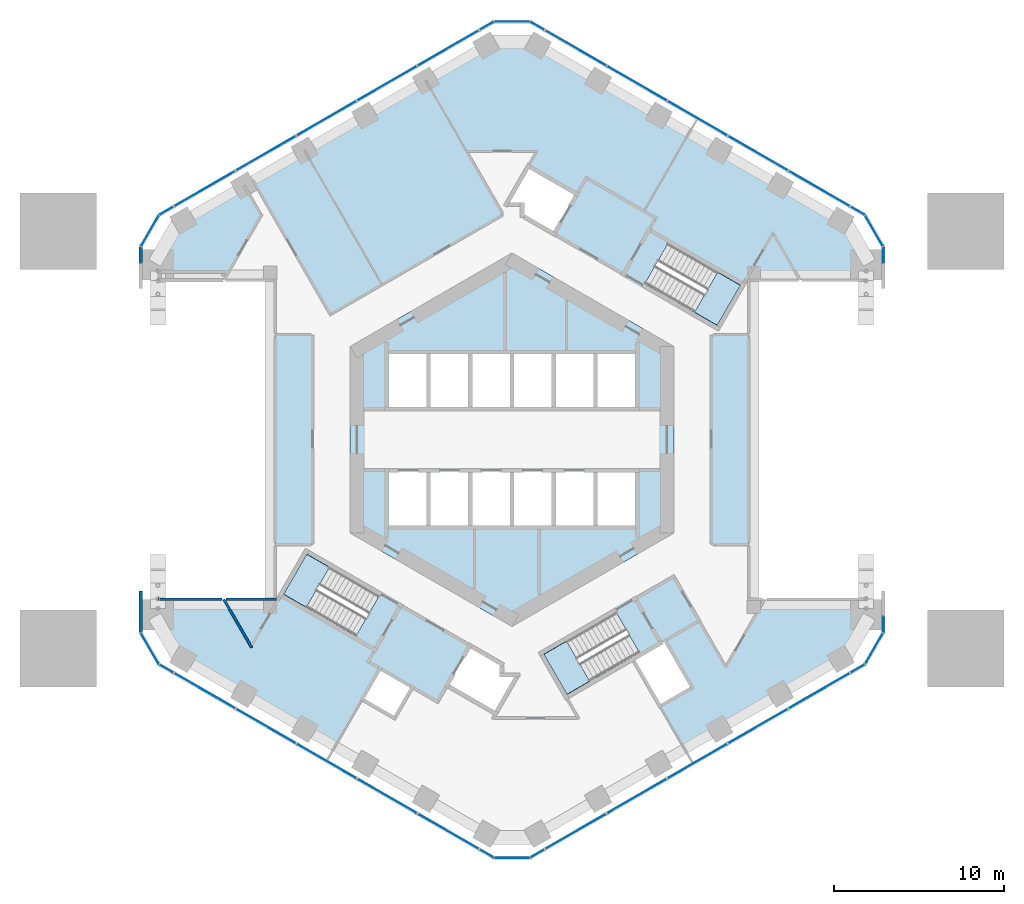
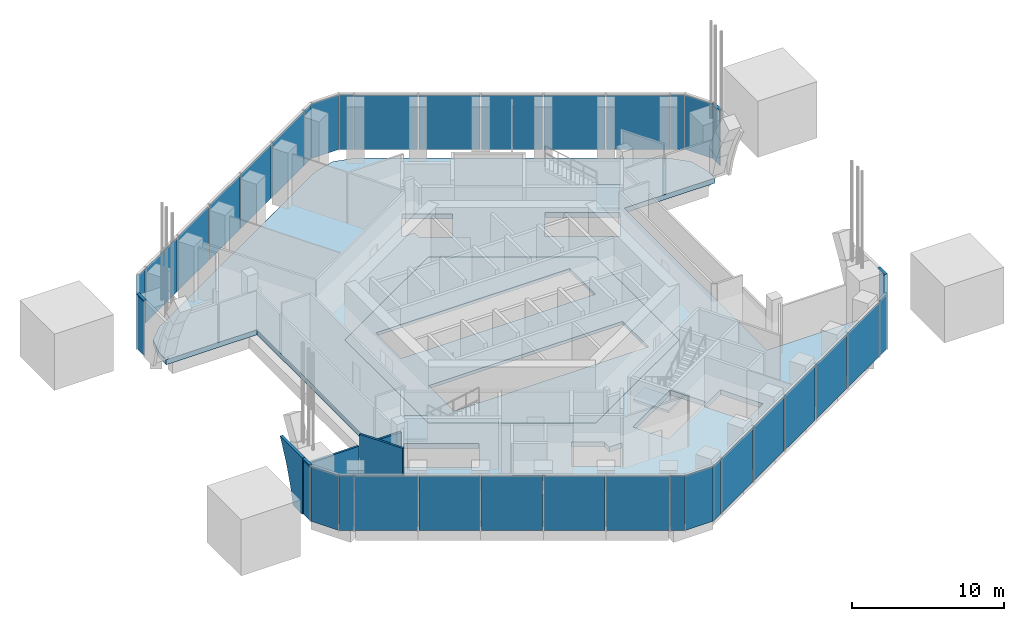
# One storey, part 8 of 14: 38 plates, 5 slabs, 4 members, 4 walls, 13 elements without a shape of their own.
"""IFC4 building model written with IfcOpenShell, lengths in metres."""

from ifc_helpers import new_model, si_unit, direction, frame, frame_2d, origin, origin_2d, place, context, subcontext, project, spatial, polyline, rectangle, outline, extrude, material, layer, layer_set, material_profile, profile_set, type_object, element, aggregate, save


model = new_model("IFC4")

# Units and contexts
model_context = context("Model", 3, precision=1e-05, world=origin(), true_north=direction((0.0, 1.0)))
body_context = subcontext(model_context, "Body", "Model", "MODEL_VIEW")
ifc_project = project(units=[si_unit("LENGTHUNIT", "METRE"), si_unit("AREAUNIT", "SQUARE_METRE"), si_unit("VOLUMEUNIT", "CUBIC_METRE"), si_unit("PLANEANGLEUNIT", "RADIAN"), si_unit("MASSUNIT", "GRAM", prefix="KILO")], contexts=[model_context])

# Site, building, storey
site_placement = place(None, origin())
site = spatial("IfcSite", under=ifc_project, at=site_placement, CompositionType="ELEMENT")
building_placement = place(site_placement, origin())
building = spatial("IfcBuilding", under=site, at=building_placement, Name="Ayvan Gate Tower", CompositionType="ELEMENT")
storey_placement = place(building_placement, frame((0.0, 0.0, 7.0)))
storey = spatial("IfcBuildingStorey", under=building, at=storey_placement, Name="L01", CompositionType="ELEMENT", Elevation=7.0)

# Curtain wall, member
ifc_material_1 = material(Name="Bronze anodised aluminium", Category="aluminium")
ifc_layer_1 = layer(ifc_material_1, 0.199951171875)
ifc_layer_set_1 = layer_set([ifc_layer_1], Name="Bronze anodised aluminium")
curtain_wall_type_1 = type_object("IfcCurtainWallType", Name="Stick curtain wall CW-6", PredefinedType="NOTDEFINED", material=ifc_layer_set_1)
curtain_wall_1_placement = place(storey_placement, origin())
curtain_wall_1 = element("IfcCurtainWall", 1, at=curtain_wall_1_placement, inside=storey, type_object=curtain_wall_type_1, Name="Stick curtain wall CW-6 L01", PredefinedType="NOTDEFINED")
ifc_material_profile = material_profile(ifc_material_1, rectangle(XDim=0.199951171875, YDim=0.1201171875, at=origin_2d()), Name="Stick curtain wall CW-6 transom 200 x 120")
ifc_profile_set = profile_set([ifc_material_profile], Name="Bronze anodised aluminium")
member_type = type_object("IfcMemberType", Name="Stick curtain wall CW-6 transom 200 x 120", PredefinedType="USERDEFINED", material=ifc_profile_set)
member_1_placement = place(storey_placement, frame((-21.78466796875, 11.32470703125, 4.43994140625), z_axis=(0.0, -1.0, 0.0), x_axis=(1.0, 0.0, 0.0)))
member_1 = element("IfcMember", 2, at=member_1_placement, type_object=member_type, Name="CW-6 transom 3", ObjectType="TRANSOM", PredefinedType="USERDEFINED", context=body_context, shape_type="SweptSolid", body=[
    extrude(rectangle(XDim=0.199951171875, YDim=0.1201171875, at=origin_2d()), origin(), (0.0, 0.0, 1.0), 0.925048828125),
])

curtain_wall_2_placement = place(storey_placement, origin())
curtain_wall_2 = element("IfcCurtainWall", 3, at=curtain_wall_2_placement, inside=storey, type_object=curtain_wall_type_1, Name="Stick curtain wall CW-6 L01", PredefinedType="NOTDEFINED")
member_2_placement = place(storey_placement, frame((-21.78466796875, -10.399658203125, 4.43994140625), z_axis=(0.0, -1.0, 0.0), x_axis=(1.0, 0.0, 0.0)))
member_2 = element("IfcMember", 4, at=member_2_placement, type_object=member_type, Name="CW-6 transom 1", ObjectType="TRANSOM", PredefinedType="USERDEFINED", context=body_context, shape_type="SweptSolid", body=[
    extrude(rectangle(XDim=0.199951171875, YDim=0.1201171875, at=origin_2d()), origin(), (0.0, 0.0, 1.0), 0.925048828125),
])

curtain_wall_3_placement = place(storey_placement, origin())
curtain_wall_3 = element("IfcCurtainWall", 5, at=curtain_wall_3_placement, inside=storey, type_object=curtain_wall_type_1, Name="Stick curtain wall CW-6 L01", PredefinedType="NOTDEFINED")
member_3_placement = place(storey_placement, frame((21.78466796875, -11.32470703125, 4.43994140625), z_axis=(0.0, 1.0, 0.0), x_axis=(-1.0, 0.0, 0.0)))
member_3 = element("IfcMember", 6, at=member_3_placement, type_object=member_type, Name="CW-6 transom 3", ObjectType="TRANSOM", PredefinedType="USERDEFINED", context=body_context, shape_type="SweptSolid", body=[
    extrude(rectangle(XDim=0.199951171875, YDim=0.1201171875, at=origin_2d()), origin(), (0.0, 0.0, 1.0), 0.925048828125),
])

curtain_wall_4_placement = place(storey_placement, origin())
curtain_wall_4 = element("IfcCurtainWall", 7, at=curtain_wall_4_placement, inside=storey, type_object=curtain_wall_type_1, Name="Stick curtain wall CW-6 L01", PredefinedType="NOTDEFINED")
member_4_placement = place(storey_placement, frame((21.78466796875, 10.399658203125, 4.43994140625), z_axis=(0.0, 1.0, 0.0), x_axis=(-1.0, 0.0, 0.0)))
member_4 = element("IfcMember", 8, at=member_4_placement, type_object=member_type, Name="CW-6 transom 1", ObjectType="TRANSOM", PredefinedType="USERDEFINED", context=body_context, shape_type="SweptSolid", body=[
    extrude(rectangle(XDim=0.199951171875, YDim=0.1201171875, at=origin_2d()), origin(), (0.0, 0.0, 1.0), 0.925048828125),
])

# Slabs
ifc_material_2 = material(Name="Concrete C40/50", Category="concrete")
ifc_layer_2 = layer(ifc_material_2, 0.39990234375)
ifc_layer_set_2 = layer_set([ifc_layer_2], Name="Concrete C40/50")
slab_type_1 = type_object("IfcSlabType", Name="Post-tensioned flat slab 400", PredefinedType="FLOOR", material=ifc_layer_set_2)
slab_1_placement = place(storey_placement, frame((0.0, 0.0, -0.39990234375)))
element("IfcSlab", 9, at=slab_1_placement, inside=storey, type_object=slab_type_1, Name="SL-L01", PredefinedType="FLOOR", context=body_context, shape_type="SweptSolid", body=[
    extrude(outline(polyline([(1.5, -23.134033203125), (0.0, -23.535888671875), (-1.5, -23.134033203125), (-19.28466796875, -12.865966796875), (-20.382568359375, -11.76806640625), (-20.78466796875, -10.26806640625), (-20.78466796875, 0.0), (-20.78466796875, -9.367919921875), (-13.89990234375, -9.367919921875), (-13.89990234375, 9.367919921875), (-20.78466796875, 9.367919921875), (-20.78466796875, 10.26806640625), (-20.382568359375, 11.76806640625), (-19.28466796875, 12.865966796875), (-1.5, 23.134033203125), (0.0, 23.535888671875), (1.5, 23.134033203125), (19.28466796875, 12.865966796875), (20.382568359375, 11.76806640625), (20.78466796875, 10.26806640625), (20.78466796875, 9.367919921875), (13.89990234375, 9.367919921875), (13.89990234375, -9.367919921875), (20.78466796875, -9.367919921875), (20.78466796875, -10.26806640625), (20.382568359375, -11.76806640625), (19.28466796875, -12.865966796875), (1.5, -23.134033203125)]), holes=[polyline([(9.1611328125, 11.517578125), (7.80615234375, 9.170654296875), (12.049560546875, 6.720458984375), (13.404541015625, 9.0673828125), (9.1611328125, 11.517578125)]), polyline([(8.995361328125, -11.780517578125), (8.735595703125, -11.9306640625), (7.090087890625, -12.880615234375), (8.690185546875, -15.65185546875), (10.595458984375, -14.5517578125), (8.995361328125, -11.780517578125)]), polyline([(0.0, -10.9697265625), (9.5, -5.48486328125), (9.5, 5.48486328125), (0.0, 10.9697265625), (-9.5, 5.48486328125), (-9.5, -5.48486328125), (0.0, -10.9697265625)]), polyline([(7.472412109375, -12.492431640625), (6.117431640625, -10.1455078125), (1.873779296875, -12.595458984375), (3.228759765625, -14.9423828125), (7.472412109375, -12.492431640625)]), polyline([(3.822509765625, 14.420654296875), (0.964599609375, 16.07080078125), (-0.340576171875, 13.81005859375), (0.60009765625, 13.81005859375), (0.60009765625, 13.16357421875), (2.472412109375, 12.08251953125), (3.822509765625, 14.420654296875)]), polyline([(-0.60009765625, -13.81005859375), (-0.60009765625, -13.16357421875), (-2.472412109375, -12.08251953125), (-3.822509765625, -14.420654296875), (-0.964599609375, -16.07080078125), (0.340576171875, -13.81005859375), (-0.60009765625, -13.81005859375)]), polyline([(-8.800048828125, -15.241943359375), (-6.894775390625, -16.342041015625), (-5.8447265625, -14.5234375), (-7.75, -13.42333984375), (-8.800048828125, -15.241943359375)]), polyline([(-12.049560546875, -6.720458984375), (-13.404541015625, -9.0673828125), (-9.1611328125, -11.517578125), (-7.80615234375, -9.170654296875), (-12.049560546875, -6.720458984375)])]), origin(), (0.0, 0.0, 1.0), 0.39990234375),
])
ifc_layer_3 = layer(ifc_material_2, 0.25)
ifc_layer_set_3 = layer_set([ifc_layer_3], Name="Concrete C40/50")
slab_type_2 = type_object("IfcSlabType", Name="SL-CORE-250", PredefinedType="FLOOR", material=ifc_layer_set_3)
slab_2_placement = place(storey_placement, frame((0.0, 0.0, -0.25)))
element("IfcSlab", 10, at=slab_2_placement, inside=storey, type_object=slab_type_2, Name="CS-L01", PredefinedType="FLOOR", context=body_context, shape_type="SweptSolid", body=[
    extrude(outline(polyline([(9.5, -5.48486328125), (0.0, -10.9697265625), (-9.5, -5.48486328125), (-9.5, 5.48486328125), (0.0, 10.9697265625), (9.5, 5.48486328125), (9.5, -5.48486328125)]), holes=[polyline([(-7.35009765625, -1.800048828125), (-7.35009765625, -5.14990234375), (7.35009765625, -5.14990234375), (7.35009765625, -1.800048828125), (-7.35009765625, -1.800048828125)]), polyline([(-7.35009765625, 5.14990234375), (-7.35009765625, 1.800048828125), (7.35009765625, 1.800048828125), (7.35009765625, 5.14990234375), (-7.35009765625, 5.14990234375)])]), origin(), (0.0, 0.0, 1.0), 0.25),
])

# Stair, slab
stair_type = type_object("IfcStairType", Name="ST-EXIT", PredefinedType="HALF_TURN_STAIR", material=ifc_material_2)
stair_1_placement = place(storey_placement, origin())
stair_1 = element("IfcStair", 11, at=stair_1_placement, inside=storey, type_object=stair_type, Name="L01 Exit Stair S1", PredefinedType="HALF_TURN_STAIR")
ifc_layer_4 = layer(ifc_material_2, 0.199951171875)
ifc_layer_set_4 = layer_set([ifc_layer_4], Name="Concrete C40/50")
slab_type_3 = type_object("IfcSlabType", Name="SL-LANDING-200", PredefinedType="LANDING", material=ifc_layer_set_4)
slab_3_placement = place(storey_placement, frame((0.0, 0.0, 2.050048828125)))
slab_3 = element("IfcSlab", 12, at=slab_3_placement, type_object=slab_type_3, Name="STS1 landing 1", PredefinedType="LANDING", context=body_context, shape_type="SweptSolid", body=[
    extrude(outline(polyline([(10.716064453125, 7.490478515625), (12.049560546875, 6.720458984375), (13.404541015625, 9.0673828125), (12.071044921875, 9.83740234375), (10.716064453125, 7.490478515625)])), origin(), (0.0, 0.0, 1.0), 0.199951171875),
])
aggregate(stair_1, [slab_3])

stair_2_placement = place(storey_placement, origin())
stair_2 = element("IfcStair", 13, at=stair_2_placement, inside=storey, type_object=stair_type, Name="L01 Exit Stair S2", PredefinedType="HALF_TURN_STAIR")
slab_4_placement = place(storey_placement, frame((0.0, 0.0, 2.050048828125)))
slab_4 = element("IfcSlab", 14, at=slab_4_placement, type_object=slab_type_3, Name="STS2 landing 1", PredefinedType="LANDING", context=body_context, shape_type="SweptSolid", body=[
    extrude(outline(polyline([(-10.716064453125, -7.490478515625), (-12.049560546875, -6.720458984375), (-13.404541015625, -9.0673828125), (-12.071044921875, -9.83740234375), (-10.716064453125, -7.490478515625)])), origin(), (0.0, 0.0, 1.0), 0.199951171875),
])
aggregate(stair_2, [slab_4])

stair_3_placement = place(storey_placement, origin())
stair_3 = element("IfcStair", 15, at=stair_3_placement, inside=storey, type_object=stair_type, Name="L01 Exit Stair S3", PredefinedType="HALF_TURN_STAIR")
slab_5_placement = place(storey_placement, frame((0.0, 0.0, 2.050048828125)))
slab_5 = element("IfcSlab", 16, at=slab_5_placement, type_object=slab_type_3, Name="STS3 landing 1", PredefinedType="LANDING", context=body_context, shape_type="SweptSolid", body=[
    extrude(outline(polyline([(3.20751953125, -11.82568359375), (1.873779296875, -12.595458984375), (3.228759765625, -14.9423828125), (4.5625, -14.172607421875), (3.20751953125, -11.82568359375)])), origin(), (0.0, 0.0, 1.0), 0.199951171875),
])
aggregate(stair_3, [slab_5])

# Curtain wall, plates
ifc_layer_5 = layer(ifc_material_1, 0.199951171875)
ifc_layer_set_5 = layer_set([ifc_layer_5], Name="Bronze anodised aluminium")
curtain_wall_type_2 = type_object("IfcCurtainWallType", Name="Stick curtain wall CW-3", PredefinedType="NOTDEFINED", material=ifc_layer_set_5)
curtain_wall_5_placement = place(storey_placement, origin())
curtain_wall_5 = element("IfcCurtainWall", 17, at=curtain_wall_5_placement, inside=storey, type_object=curtain_wall_type_2, Name="Stick curtain wall CW-3 L01", PredefinedType="NOTDEFINED")
ifc_material_3 = material(Name="Clear low-iron laminated glass", Category="glass")
ifc_layer_6 = layer(ifc_material_3, 0.028076171875)
ifc_layer_set_6 = layer_set([ifc_layer_6], Name="Clear low-iron laminated glass")
plate_type_1 = type_object("IfcPlateType", Name="Stick curtain wall CW-3 glass panel", PredefinedType="CURTAIN_PANEL", material=ifc_layer_set_6)
plate_1_placement = place(storey_placement, frame((-3.721435546875, 23.006103515625, 0.0), z_axis=(0.0, 0.0, 1.0), x_axis=(-0.866025403784, -0.5, 0.0)))
plate_1 = element("IfcPlate", 18, at=plate_1_placement, type_object=plate_type_1, Name="CW-3 glass panel 1", PredefinedType="CURTAIN_PANEL", context=body_context, shape_type="SweptSolid", body=[
    extrude(rectangle(XDim=4.138916015625, YDim=0.028076171875, at=origin_2d()), origin(), (0.0, 0.0, 1.0), 4.340087890625),
])
plate_2_placement = place(storey_placement, frame((-7.33544921875, 20.919677734375, 0.0), z_axis=(0.0, 0.0, 1.0), x_axis=(-0.866025403784, -0.5, 0.0)))
plate_2 = element("IfcPlate", 19, at=plate_2_placement, type_object=plate_type_1, Name="CW-3 glass panel 2", PredefinedType="CURTAIN_PANEL", context=body_context, shape_type="SweptSolid", body=[
    extrude(rectangle(XDim=4.007080078125, YDim=0.028076171875, at=origin_2d()), origin(), (0.0, 0.0, 1.0), 4.340087890625),
])
plate_3_placement = place(storey_placement, frame((-10.892333984375, 18.865966796875, 0.0), z_axis=(0.0, 0.0, 1.0), x_axis=(-0.866025403784, -0.5, 0.0)))
plate_3 = element("IfcPlate", 20, at=plate_3_placement, type_object=plate_type_1, Name="CW-3 glass panel 3", PredefinedType="CURTAIN_PANEL", context=body_context, shape_type="SweptSolid", body=[
    extrude(rectangle(XDim=4.007080078125, YDim=0.028076171875, at=origin_2d()), origin(), (0.0, 0.0, 1.0), 4.340087890625),
])
plate_4_placement = place(storey_placement, frame((-14.448974609375, 16.8125, 0.0), z_axis=(0.0, 0.0, 1.0), x_axis=(-0.866025403784, -0.5, 0.0)))
plate_4 = element("IfcPlate", 21, at=plate_4_placement, type_object=plate_type_1, Name="CW-3 glass panel 4", PredefinedType="CURTAIN_PANEL", context=body_context, shape_type="SweptSolid", body=[
    extrude(rectangle(XDim=4.007080078125, YDim=0.028076171875, at=origin_2d()), origin(), (0.0, 0.0, 1.0), 4.340087890625),
])
plate_5_placement = place(storey_placement, frame((-18.06298828125, 14.72607421875, 0.0), z_axis=(0.0, 0.0, 1.0), x_axis=(-0.866025403784, -0.5, 0.0)))
plate_5 = element("IfcPlate", 22, at=plate_5_placement, type_object=plate_type_1, Name="CW-3 glass panel 5", PredefinedType="CURTAIN_PANEL", context=body_context, shape_type="SweptSolid", body=[
    extrude(rectangle(XDim=4.13916015625, YDim=0.028076171875, at=origin_2d()), origin(), (0.0, 0.0, 1.0), 4.340087890625),
])
aggregate(curtain_wall_5, [plate_1, plate_2, plate_3, plate_4, plate_5])

curtain_wall_6_placement = place(storey_placement, origin())
curtain_wall_6 = element("IfcCurtainWall", 23, at=curtain_wall_6_placement, inside=storey, type_object=curtain_wall_type_2, Name="Stick curtain wall CW-3 L01", PredefinedType="NOTDEFINED")
plate_6_placement = place(storey_placement, frame((-18.06298828125, -14.72607421875, 0.0), z_axis=(0.0, 0.0, 1.0), x_axis=(0.866025403784, -0.5, 0.0)))
plate_6 = element("IfcPlate", 24, at=plate_6_placement, type_object=plate_type_1, Name="CW-3 glass panel 1", PredefinedType="CURTAIN_PANEL", context=body_context, shape_type="SweptSolid", body=[
    extrude(rectangle(XDim=4.138916015625, YDim=0.028076171875, at=origin_2d()), origin(), (0.0, 0.0, 1.0), 4.340087890625),
])
plate_7_placement = place(storey_placement, frame((-14.44921875, -16.8125, 0.0), z_axis=(0.0, 0.0, 1.0), x_axis=(0.866025403784, -0.5, 0.0)))
plate_7 = element("IfcPlate", 25, at=plate_7_placement, type_object=plate_type_1, Name="CW-3 glass panel 2", PredefinedType="CURTAIN_PANEL", context=body_context, shape_type="SweptSolid", body=[
    extrude(rectangle(XDim=4.007080078125, YDim=0.028076171875, at=origin_2d()), origin(), (0.0, 0.0, 1.0), 4.340087890625),
])
plate_8_placement = place(storey_placement, frame((-10.892333984375, -18.865966796875, 0.0), z_axis=(0.0, 0.0, 1.0), x_axis=(0.866025403784, -0.5, 0.0)))
plate_8 = element("IfcPlate", 26, at=plate_8_placement, type_object=plate_type_1, Name="CW-3 glass panel 3", PredefinedType="CURTAIN_PANEL", context=body_context, shape_type="SweptSolid", body=[
    extrude(rectangle(XDim=4.007080078125, YDim=0.028076171875, at=origin_2d()), origin(), (0.0, 0.0, 1.0), 4.340087890625),
])
plate_9_placement = place(storey_placement, frame((-7.335693359375, -20.91943359375, 0.0), z_axis=(0.0, 0.0, 1.0), x_axis=(0.866025403784, -0.5, 0.0)))
plate_9 = element("IfcPlate", 27, at=plate_9_placement, type_object=plate_type_1, Name="CW-3 glass panel 4", PredefinedType="CURTAIN_PANEL", context=body_context, shape_type="SweptSolid", body=[
    extrude(rectangle(XDim=4.007080078125, YDim=0.028076171875, at=origin_2d()), origin(), (0.0, 0.0, 1.0), 4.340087890625),
])
plate_10_placement = place(storey_placement, frame((-3.7216796875, -23.006103515625, 0.0), z_axis=(0.0, 0.0, 1.0), x_axis=(0.866025403784, -0.5, 0.0)))
plate_10 = element("IfcPlate", 28, at=plate_10_placement, type_object=plate_type_1, Name="CW-3 glass panel 5", PredefinedType="CURTAIN_PANEL", context=body_context, shape_type="SweptSolid", body=[
    extrude(rectangle(XDim=4.13916015625, YDim=0.028076171875, at=origin_2d()), origin(), (0.0, 0.0, 1.0), 4.340087890625),
])
aggregate(curtain_wall_6, [plate_6, plate_7, plate_8, plate_9, plate_10])

curtain_wall_7_placement = place(storey_placement, origin())
curtain_wall_7 = element("IfcCurtainWall", 29, at=curtain_wall_7_placement, inside=storey, type_object=curtain_wall_type_2, Name="Stick curtain wall CW-3 L01", PredefinedType="NOTDEFINED")
plate_11_placement = place(storey_placement, frame((3.721435546875, -23.006103515625, 0.0), z_axis=(0.0, 0.0, 1.0), x_axis=(0.866025403784, 0.5, 0.0)))
plate_11 = element("IfcPlate", 30, at=plate_11_placement, type_object=plate_type_1, Name="CW-3 glass panel 1", PredefinedType="CURTAIN_PANEL", context=body_context, shape_type="SweptSolid", body=[
    extrude(rectangle(XDim=4.138916015625, YDim=0.028076171875, at=origin_2d()), origin(), (0.0, 0.0, 1.0), 4.340087890625),
])
plate_12_placement = place(storey_placement, frame((7.33544921875, -20.919677734375, 0.0), z_axis=(0.0, 0.0, 1.0), x_axis=(0.866025403784, 0.5, 0.0)))
plate_12 = element("IfcPlate", 31, at=plate_12_placement, type_object=plate_type_1, Name="CW-3 glass panel 2", PredefinedType="CURTAIN_PANEL", context=body_context, shape_type="SweptSolid", body=[
    extrude(rectangle(XDim=4.007080078125, YDim=0.028076171875, at=origin_2d()), origin(), (0.0, 0.0, 1.0), 4.340087890625),
])
plate_13_placement = place(storey_placement, frame((10.892333984375, -18.865966796875, 0.0), z_axis=(0.0, 0.0, 1.0), x_axis=(0.866025403784, 0.5, 0.0)))
plate_13 = element("IfcPlate", 32, at=plate_13_placement, type_object=plate_type_1, Name="CW-3 glass panel 3", PredefinedType="CURTAIN_PANEL", context=body_context, shape_type="SweptSolid", body=[
    extrude(rectangle(XDim=4.007080078125, YDim=0.028076171875, at=origin_2d()), origin(), (0.0, 0.0, 1.0), 4.340087890625),
])
plate_14_placement = place(storey_placement, frame((14.448974609375, -16.8125, 0.0), z_axis=(0.0, 0.0, 1.0), x_axis=(0.866025403784, 0.5, 0.0)))
plate_14 = element("IfcPlate", 33, at=plate_14_placement, type_object=plate_type_1, Name="CW-3 glass panel 4", PredefinedType="CURTAIN_PANEL", context=body_context, shape_type="SweptSolid", body=[
    extrude(rectangle(XDim=4.007080078125, YDim=0.028076171875, at=origin_2d()), origin(), (0.0, 0.0, 1.0), 4.340087890625),
])
plate_15_placement = place(storey_placement, frame((18.06298828125, -14.72607421875, 0.0), z_axis=(0.0, 0.0, 1.0), x_axis=(0.866025403784, 0.5, 0.0)))
plate_15 = element("IfcPlate", 34, at=plate_15_placement, type_object=plate_type_1, Name="CW-3 glass panel 5", PredefinedType="CURTAIN_PANEL", context=body_context, shape_type="SweptSolid", body=[
    extrude(rectangle(XDim=4.13916015625, YDim=0.028076171875, at=origin_2d()), origin(), (0.0, 0.0, 1.0), 4.340087890625),
])
aggregate(curtain_wall_7, [plate_11, plate_12, plate_13, plate_14, plate_15])

curtain_wall_8_placement = place(storey_placement, origin())
curtain_wall_8 = element("IfcCurtainWall", 35, at=curtain_wall_8_placement, inside=storey, type_object=curtain_wall_type_2, Name="Stick curtain wall CW-3 L01", PredefinedType="NOTDEFINED")
plate_16_placement = place(storey_placement, frame((18.06298828125, 14.72607421875, 0.0), z_axis=(0.0, 0.0, 1.0), x_axis=(-0.866025403784, 0.5, 0.0)))
plate_16 = element("IfcPlate", 36, at=plate_16_placement, type_object=plate_type_1, Name="CW-3 glass panel 1", PredefinedType="CURTAIN_PANEL", context=body_context, shape_type="SweptSolid", body=[
    extrude(rectangle(XDim=4.138916015625, YDim=0.028076171875, at=origin_2d()), origin(), (0.0, 0.0, 1.0), 4.340087890625),
])
plate_17_placement = place(storey_placement, frame((14.44921875, 16.8125, 0.0), z_axis=(0.0, 0.0, 1.0), x_axis=(-0.866025403784, 0.5, 0.0)))
plate_17 = element("IfcPlate", 37, at=plate_17_placement, type_object=plate_type_1, Name="CW-3 glass panel 2", PredefinedType="CURTAIN_PANEL", context=body_context, shape_type="SweptSolid", body=[
    extrude(rectangle(XDim=4.007080078125, YDim=0.028076171875, at=origin_2d()), origin(), (0.0, 0.0, 1.0), 4.340087890625),
])
plate_18_placement = place(storey_placement, frame((10.892333984375, 18.865966796875, 0.0), z_axis=(0.0, 0.0, 1.0), x_axis=(-0.866025403784, 0.5, 0.0)))
plate_18 = element("IfcPlate", 38, at=plate_18_placement, type_object=plate_type_1, Name="CW-3 glass panel 3", PredefinedType="CURTAIN_PANEL", context=body_context, shape_type="SweptSolid", body=[
    extrude(rectangle(XDim=4.007080078125, YDim=0.028076171875, at=origin_2d()), origin(), (0.0, 0.0, 1.0), 4.340087890625),
])
plate_19_placement = place(storey_placement, frame((7.335693359375, 20.91943359375, 0.0), z_axis=(0.0, 0.0, 1.0), x_axis=(-0.866025403784, 0.5, 0.0)))
plate_19 = element("IfcPlate", 39, at=plate_19_placement, type_object=plate_type_1, Name="CW-3 glass panel 4", PredefinedType="CURTAIN_PANEL", context=body_context, shape_type="SweptSolid", body=[
    extrude(rectangle(XDim=4.007080078125, YDim=0.028076171875, at=origin_2d()), origin(), (0.0, 0.0, 1.0), 4.340087890625),
])
plate_20_placement = place(storey_placement, frame((3.7216796875, 23.006103515625, 0.0), z_axis=(0.0, 0.0, 1.0), x_axis=(-0.866025403784, 0.5, 0.0)))
plate_20 = element("IfcPlate", 40, at=plate_20_placement, type_object=plate_type_1, Name="CW-3 glass panel 5", PredefinedType="CURTAIN_PANEL", context=body_context, shape_type="SweptSolid", body=[
    extrude(rectangle(XDim=4.13916015625, YDim=0.028076171875, at=origin_2d()), origin(), (0.0, 0.0, 1.0), 4.340087890625),
])
aggregate(curtain_wall_8, [plate_16, plate_17, plate_18, plate_19, plate_20])

# Plate
ifc_layer_7 = layer(ifc_material_3, 0.028076171875)
ifc_layer_set_7 = layer_set([ifc_layer_7], Name="Clear low-iron laminated glass")
plate_type_2 = type_object("IfcPlateType", Name="Stick curtain wall CW-6 glass panel", PredefinedType="CURTAIN_PANEL", material=ifc_layer_set_7)
plate_21_placement = place(storey_placement, frame((-20.299072265625, 13.43505859375, 0.0), z_axis=(0.0, 0.0, 1.0), x_axis=(-0.866025403784, -0.5, 0.0)))
plate_21 = element("IfcPlate", 41, at=plate_21_placement, type_object=plate_type_2, Name="CW-6 glass panel 1", PredefinedType="CURTAIN_PANEL", context=body_context, shape_type="SweptSolid", body=[
    extrude(rectangle(XDim=0.925048828125, YDim=0.028076171875, at=origin_2d()), origin(), (0.0, 0.0, 1.0), 4.3798828125),
])

plate_22_placement = place(storey_placement, frame((-21.2529296875, 12.2705078125, 0.0), z_axis=(0.0, 0.0, 1.0), x_axis=(-0.5, -0.866025403784, 0.0)))
plate_22 = element("IfcPlate", 42, at=plate_22_placement, type_object=plate_type_2, Name="CW-6 glass panel 2", PredefinedType="CURTAIN_PANEL", context=body_context, shape_type="SweptSolid", body=[
    extrude(rectangle(XDim=2.076416015625, YDim=0.028076171875, at=origin_2d()), origin(), (0.0, 0.0, 1.0), 4.3798828125),
])

plate_23_placement = place(storey_placement, frame((-21.78466796875, 10.862060546875, 0.0), z_axis=(0.0, 0.0, 1.0), x_axis=(0.0, -1.0, 0.0)))
plate_23 = element("IfcPlate", 43, at=plate_23_placement, type_object=plate_type_2, Name="CW-6 glass panel 3", PredefinedType="CURTAIN_PANEL", context=body_context, shape_type="SweptSolid", body=[
    extrude(rectangle(XDim=0.925048828125, YDim=0.028076171875, at=origin_2d()), origin(), (0.0, 0.0, 1.0), 4.3798828125),
])

aggregate(curtain_wall_1, [member_1, plate_21, plate_22, plate_23])

plate_24_placement = place(storey_placement, frame((-21.78466796875, -10.862060546875, 0.0), z_axis=(0.0, 0.0, 1.0), x_axis=(0.0, -1.0, 0.0)))
plate_24 = element("IfcPlate", 44, at=plate_24_placement, type_object=plate_type_2, Name="CW-6 glass panel 1", PredefinedType="CURTAIN_PANEL", context=body_context, shape_type="SweptSolid", body=[
    extrude(rectangle(XDim=0.925048828125, YDim=0.028076171875, at=origin_2d()), origin(), (0.0, 0.0, 1.0), 4.3798828125),
])

plate_25_placement = place(storey_placement, frame((-21.2529296875, -12.2705078125, 0.0), z_axis=(0.0, 0.0, 1.0), x_axis=(0.5, -0.866025403784, 0.0)))
plate_25 = element("IfcPlate", 45, at=plate_25_placement, type_object=plate_type_2, Name="CW-6 glass panel 2", PredefinedType="CURTAIN_PANEL", context=body_context, shape_type="SweptSolid", body=[
    extrude(rectangle(XDim=2.076416015625, YDim=0.028076171875, at=origin_2d()), origin(), (0.0, 0.0, 1.0), 4.3798828125),
])

plate_26_placement = place(storey_placement, frame((-20.299072265625, -13.43505859375, 0.0), z_axis=(0.0, 0.0, 1.0), x_axis=(0.866025403784, -0.5, 0.0)))
plate_26 = element("IfcPlate", 46, at=plate_26_placement, type_object=plate_type_2, Name="CW-6 glass panel 3", PredefinedType="CURTAIN_PANEL", context=body_context, shape_type="SweptSolid", body=[
    extrude(rectangle(XDim=0.925048828125, YDim=0.028076171875, at=origin_2d()), origin(), (0.0, 0.0, 1.0), 4.3798828125),
])

aggregate(curtain_wall_2, [member_2, plate_24, plate_25, plate_26])

# Curtain wall, plates
curtain_wall_9_placement = place(storey_placement, origin())
curtain_wall_9 = element("IfcCurtainWall", 47, at=curtain_wall_9_placement, inside=storey, type_object=curtain_wall_type_1, Name="Stick curtain wall CW-6 L01", PredefinedType="NOTDEFINED")
plate_27_placement = place(storey_placement, frame((-1.4853515625, -24.297119140625, 0.0), z_axis=(0.0, 0.0, 1.0), x_axis=(0.866025403784, -0.5, 0.0)))
plate_27 = element("IfcPlate", 48, at=plate_27_placement, type_object=plate_type_2, Name="CW-6 glass panel 1", PredefinedType="CURTAIN_PANEL", context=body_context, shape_type="SweptSolid", body=[
    extrude(rectangle(XDim=0.925048828125, YDim=0.028076171875, at=origin_2d()), origin(), (0.0, 0.0, 1.0), 4.3798828125),
])
plate_28_placement = place(storey_placement, frame((0.0, -24.540771484375, 0.0), z_axis=(0.0, 0.0, 1.0), x_axis=(1.0, 0.0, 0.0)))
plate_28 = element("IfcPlate", 49, at=plate_28_placement, type_object=plate_type_2, Name="CW-6 glass panel 2", PredefinedType="CURTAIN_PANEL", context=body_context, shape_type="SweptSolid", body=[
    extrude(rectangle(XDim=2.076416015625, YDim=0.028076171875, at=origin_2d()), origin(), (0.0, 0.0, 1.0), 4.3798828125),
])
plate_29_placement = place(storey_placement, frame((1.4853515625, -24.297119140625, 0.0), z_axis=(0.0, 0.0, 1.0), x_axis=(0.866025403784, 0.5, 0.0)))
plate_29 = element("IfcPlate", 50, at=plate_29_placement, type_object=plate_type_2, Name="CW-6 glass panel 3", PredefinedType="CURTAIN_PANEL", context=body_context, shape_type="SweptSolid", body=[
    extrude(rectangle(XDim=0.925048828125, YDim=0.028076171875, at=origin_2d()), origin(), (0.0, 0.0, 1.0), 4.3798828125),
])
aggregate(curtain_wall_9, [plate_27, plate_28, plate_29])

# Plate
plate_30_placement = place(storey_placement, frame((20.299072265625, -13.43505859375, 0.0), z_axis=(0.0, 0.0, 1.0), x_axis=(0.866025403784, 0.5, 0.0)))
plate_30 = element("IfcPlate", 51, at=plate_30_placement, type_object=plate_type_2, Name="CW-6 glass panel 1", PredefinedType="CURTAIN_PANEL", context=body_context, shape_type="SweptSolid", body=[
    extrude(rectangle(XDim=0.925048828125, YDim=0.028076171875, at=origin_2d()), origin(), (0.0, 0.0, 1.0), 4.3798828125),
])

plate_31_placement = place(storey_placement, frame((21.2529296875, -12.2705078125, 0.0), z_axis=(0.0, 0.0, 1.0), x_axis=(0.5, 0.866025403784, 0.0)))
plate_31 = element("IfcPlate", 52, at=plate_31_placement, type_object=plate_type_2, Name="CW-6 glass panel 2", PredefinedType="CURTAIN_PANEL", context=body_context, shape_type="SweptSolid", body=[
    extrude(rectangle(XDim=2.076416015625, YDim=0.028076171875, at=origin_2d()), origin(), (0.0, 0.0, 1.0), 4.3798828125),
])

plate_32_placement = place(storey_placement, frame((21.78466796875, -10.862060546875, 0.0), z_axis=(0.0, 0.0, 1.0), x_axis=(0.0, 1.0, 0.0)))
plate_32 = element("IfcPlate", 53, at=plate_32_placement, type_object=plate_type_2, Name="CW-6 glass panel 3", PredefinedType="CURTAIN_PANEL", context=body_context, shape_type="SweptSolid", body=[
    extrude(rectangle(XDim=0.925048828125, YDim=0.028076171875, at=origin_2d()), origin(), (0.0, 0.0, 1.0), 4.3798828125),
])

aggregate(curtain_wall_3, [member_3, plate_30, plate_31, plate_32])

plate_33_placement = place(storey_placement, frame((21.78466796875, 10.862060546875, 0.0), z_axis=(0.0, 0.0, 1.0), x_axis=(0.0, 1.0, 0.0)))
plate_33 = element("IfcPlate", 54, at=plate_33_placement, type_object=plate_type_2, Name="CW-6 glass panel 1", PredefinedType="CURTAIN_PANEL", context=body_context, shape_type="SweptSolid", body=[
    extrude(rectangle(XDim=0.925048828125, YDim=0.028076171875, at=origin_2d()), origin(), (0.0, 0.0, 1.0), 4.3798828125),
])

plate_34_placement = place(storey_placement, frame((21.2529296875, 12.2705078125, 0.0), z_axis=(0.0, 0.0, 1.0), x_axis=(-0.5, 0.866025403784, 0.0)))
plate_34 = element("IfcPlate", 55, at=plate_34_placement, type_object=plate_type_2, Name="CW-6 glass panel 2", PredefinedType="CURTAIN_PANEL", context=body_context, shape_type="SweptSolid", body=[
    extrude(rectangle(XDim=2.076416015625, YDim=0.028076171875, at=origin_2d()), origin(), (0.0, 0.0, 1.0), 4.3798828125),
])

plate_35_placement = place(storey_placement, frame((20.299072265625, 13.43505859375, 0.0), z_axis=(0.0, 0.0, 1.0), x_axis=(-0.866025403784, 0.5, 0.0)))
plate_35 = element("IfcPlate", 56, at=plate_35_placement, type_object=plate_type_2, Name="CW-6 glass panel 3", PredefinedType="CURTAIN_PANEL", context=body_context, shape_type="SweptSolid", body=[
    extrude(rectangle(XDim=0.925048828125, YDim=0.028076171875, at=origin_2d()), origin(), (0.0, 0.0, 1.0), 4.3798828125),
])

aggregate(curtain_wall_4, [member_4, plate_33, plate_34, plate_35])

# Curtain wall, plates
curtain_wall_10_placement = place(storey_placement, origin())
curtain_wall_10 = element("IfcCurtainWall", 57, at=curtain_wall_10_placement, inside=storey, type_object=curtain_wall_type_1, Name="Stick curtain wall CW-6 L01", PredefinedType="NOTDEFINED")
plate_36_placement = place(storey_placement, frame((1.4853515625, 24.297119140625, 0.0), z_axis=(0.0, 0.0, 1.0), x_axis=(-0.866025403784, 0.5, 0.0)))
plate_36 = element("IfcPlate", 58, at=plate_36_placement, type_object=plate_type_2, Name="CW-6 glass panel 1", PredefinedType="CURTAIN_PANEL", context=body_context, shape_type="SweptSolid", body=[
    extrude(rectangle(XDim=0.925048828125, YDim=0.028076171875, at=origin_2d()), origin(), (0.0, 0.0, 1.0), 4.3798828125),
])
plate_37_placement = place(storey_placement, frame((0.0, 24.540771484375, 0.0), z_axis=(0.0, 0.0, 1.0), x_axis=(-1.0, 0.0, 0.0)))
plate_37 = element("IfcPlate", 59, at=plate_37_placement, type_object=plate_type_2, Name="CW-6 glass panel 2", PredefinedType="CURTAIN_PANEL", context=body_context, shape_type="SweptSolid", body=[
    extrude(rectangle(XDim=2.076416015625, YDim=0.028076171875, at=origin_2d()), origin(), (0.0, 0.0, 1.0), 4.3798828125),
])
plate_38_placement = place(storey_placement, frame((-1.4853515625, 24.297119140625, 0.0), z_axis=(0.0, 0.0, 1.0), x_axis=(-0.866025403784, -0.5, 0.0)))
plate_38 = element("IfcPlate", 60, at=plate_38_placement, type_object=plate_type_2, Name="CW-6 glass panel 3", PredefinedType="CURTAIN_PANEL", context=body_context, shape_type="SweptSolid", body=[
    extrude(rectangle(XDim=0.925048828125, YDim=0.028076171875, at=origin_2d()), origin(), (0.0, 0.0, 1.0), 4.3798828125),
])
aggregate(curtain_wall_10, [plate_36, plate_37, plate_38])

# Walls
ifc_material_4 = material(Name="Pale metal cladding on insulated wall")
ifc_layer_8 = layer(ifc_material_4, 0.199951171875)
ifc_layer_set_8 = layer_set([ifc_layer_8], Name="Pale metal cladding on insulated wall")
wall_type_1 = type_object("IfcWallType", Name="Arch tympanum wall 200", PredefinedType="SOLIDWALL", material=ifc_layer_set_8)
wall_1_placement = place(storey_placement, frame((-21.6845703125, -10.399658203125, 0.0), z_axis=(1.0, 0.0, 0.0), x_axis=(0.0, 1.0, 0.0)))
element("IfcWall", 61, at=wall_1_placement, inside=storey, type_object=wall_type_1, Name="Arch tympanum wall L01 face 3", PredefinedType="SOLIDWALL", context=body_context, shape_type="SweptSolid", body=[
    extrude(outline(polyline([(0.0, 0.0), (1.222900390625, 0.0), (1.582763671875, 1.421142578125), (2.091552734375, 2.8271484375), (2.737060546875, 4.17578125), (2.933837890625, 4.5), (0.0, 4.5), (0.0, 0.0)])), origin(), (0.0, 0.0, -1.0), 0.199951171875),
])
ifc_material_5 = material(Name="Plasterboard on steel stud", Category="steel")
ifc_layer_9 = layer(ifc_material_5, 0.14990234375)
ifc_layer_set_9 = layer_set([ifc_layer_9], Name="Plasterboard on steel stud")
wall_type_2 = type_object("IfcWallType", Name="WT-CORR-150", PredefinedType="PARTITIONING", material=ifc_layer_set_9)
wall_2_placement = place(storey_placement, frame((-20.78466796875, -9.367919921875, 0.0), z_axis=(0.0, 0.0, 1.0), x_axis=(1.0, 0.0, 0.0)))
element("IfcWall", 62, at=wall_2_placement, inside=storey, type_object=wall_type_2, Name="IW-L01-000", PredefinedType="PARTITIONING", context=body_context, shape_type="SweptSolid", body=[
    extrude(rectangle(XDim=3.74609375, YDim=0.14990234375, at=frame_2d((1.873046875, 0.0))), origin(), (0.0, 0.0, 1.0), 3.175048828125),
])
wall_3_placement = place(storey_placement, frame((-16.780029296875, -9.367919921875, 0.0), z_axis=(0.0, 0.0, 1.0), x_axis=(1.0, 0.0, 0.0)))
element("IfcWall", 63, at=wall_3_placement, inside=storey, type_object=wall_type_2, Name="IW-L01-006", PredefinedType="PARTITIONING", context=body_context, shape_type="SweptSolid", body=[
    extrude(rectangle(XDim=2.955078125, YDim=0.14990234375, at=frame_2d((1.4775390625, 0.0))), origin(), (0.0, 0.0, 1.0), 3.175048828125),
])
wall_4_placement = place(storey_placement, frame((-15.282958984375, -12.200927734375, 0.0), z_axis=(0.0, 0.0, 1.0), x_axis=(-0.500023926868, 0.86601158916, 0.0)))
element("IfcWall", 64, at=wall_4_placement, inside=storey, type_object=wall_type_2, Name="IW-L01-007", PredefinedType="PARTITIONING", context=body_context, shape_type="SweptSolid", body=[
    extrude(rectangle(XDim=3.271240234375, YDim=0.14990234375, at=frame_2d((1.6357421875, 0.0))), origin(), (0.0, 0.0, 1.0), 4.10009765625),
])

save(model, "model.ifc")
